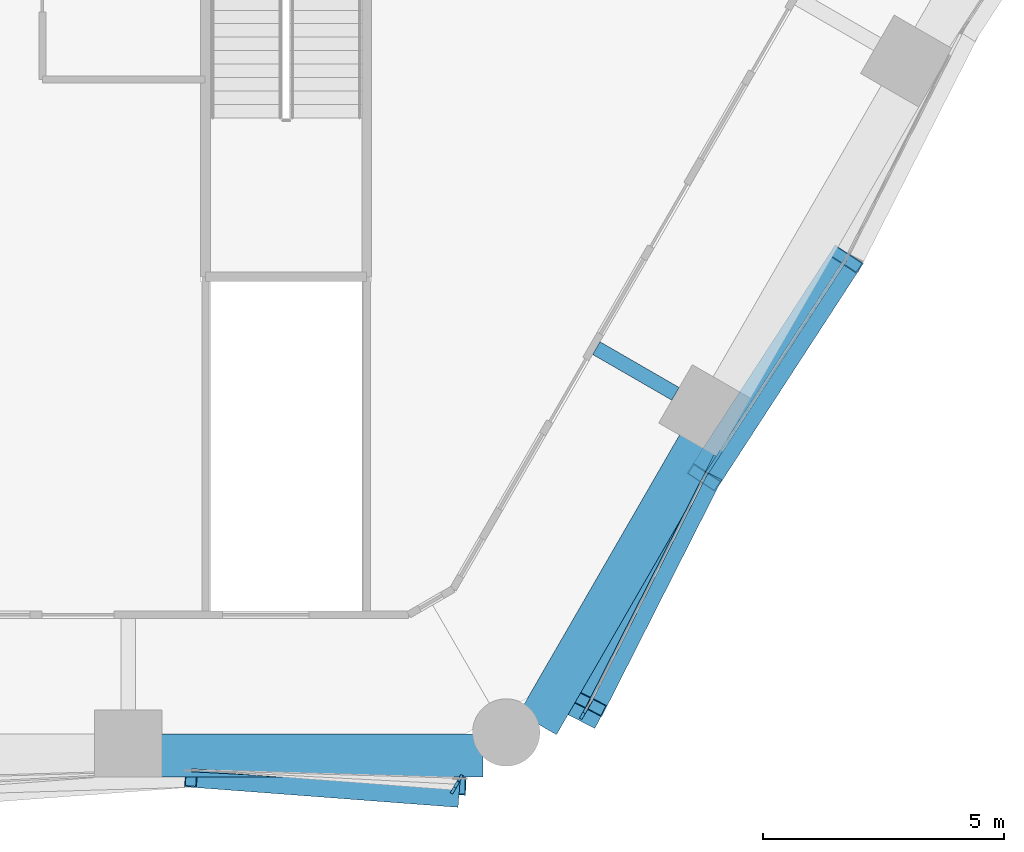
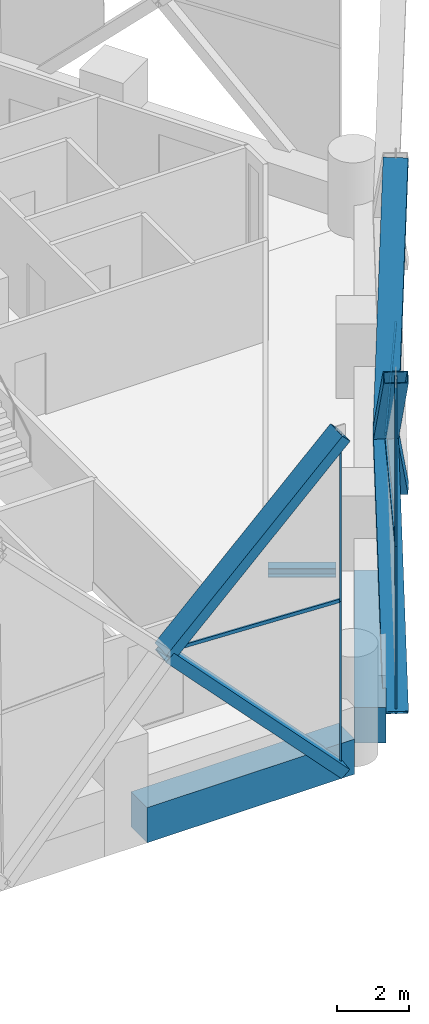
# One storey, part 5 of 22: 13 members, 3 beams, 4 elements without a shape of their own.
"""IFC4 building model written with IfcOpenShell, lengths in metres."""

from ifc_helpers import new_model, si_unit, direction, frame, origin, origin_2d, place, context, subcontext, project, spatial, rectangle, hollow_rectangle, i_section, extrude, material, material_profile, profile_set, type_object, element, aggregate, save


model = new_model("IFC4")

# Units and contexts
model_context = context("Model", 3, precision=1e-05, world=origin(), true_north=direction((0.0, 1.0)))
body_context = subcontext(model_context, "Body", "Model", "MODEL_VIEW")
ifc_project = project(units=[si_unit("LENGTHUNIT", "METRE"), si_unit("AREAUNIT", "SQUARE_METRE"), si_unit("VOLUMEUNIT", "CUBIC_METRE"), si_unit("PLANEANGLEUNIT", "RADIAN"), si_unit("MASSUNIT", "GRAM", prefix="KILO")], contexts=[model_context])

# Site, building, storey
site_placement = place(None, origin())
site = spatial("IfcSite", under=ifc_project, at=site_placement, CompositionType="ELEMENT")
building_placement = place(site_placement, origin())
building = spatial("IfcBuilding", under=site, at=building_placement, Name="Ostrander Bayou Hotel Tower", CompositionType="ELEMENT")
storey_placement = place(building_placement, frame((0.0, 0.0, 35.5)))
storey = spatial("IfcBuildingStorey", under=building, at=storey_placement, Name="L08", CompositionType="ELEMENT", Elevation=35.5)

# Curtain wall, members
ifc_material_1 = material(Name="Aluminium and clear glass", Category="aluminium")
curtain_wall_type = type_object("IfcCurtainWallType", Name="CW-LAT lattice glazing", PredefinedType="NOTDEFINED", material=ifc_material_1)
curtain_wall_1_placement = place(storey_placement, origin())
curtain_wall_1 = element("IfcCurtainWall", 1, at=curtain_wall_1_placement, inside=storey, type_object=curtain_wall_type, Name="CW-LAT L08 S 1", PredefinedType="NOTDEFINED")
ifc_material_2 = material(Name="Aluminium", Category="aluminium")
ifc_material_profile_1 = material_profile(ifc_material_2, hollow_rectangle(XDim=0.06005859375, YDim=0.159912109375, WallThickness=0.00390625, at=origin_2d()))
ifc_profile_set_1 = profile_set([ifc_material_profile_1], Name="Aluminium")
member_type_1 = type_object("IfcMemberType", Name="CW-LA mullion 60 x 160 mm", PredefinedType="MULLION", material=ifc_profile_set_1)
member_1_placement = place(storey_placement, frame((10.95068359375, -22.070068359375, -0.60009765625), z_axis=(0.012582810856, 0.021824668484, 0.999682627996), x_axis=(-0.866328918095, 0.499473928922, 0.0)))
member_1 = element("IfcMember", 2, at=member_1_placement, type_object=member_type_1, Name="CW-LAT mullion 8", PredefinedType="MULLION", context=body_context, shape_type="SweptSolid", body=[
    extrude(hollow_rectangle(XDim=0.06005859375, YDim=0.159912109375, WallThickness=0.00390625, at=origin_2d()), origin(), (0.0, 0.0, 1.0), 5.626708984375),
])
member_2_placement = place(storey_placement, frame((11.021484375, -21.947265625, 5.02490234375), z_axis=(0.012582810856, 0.021824668484, 0.999682627996), x_axis=(-0.866328918095, 0.499473928922, 0.0)))
member_2 = element("IfcMember", 3, at=member_2_placement, type_object=member_type_1, Name="CW-LAT mullion 9", PredefinedType="MULLION", context=body_context, shape_type="SweptSolid", body=[
    extrude(hollow_rectangle(XDim=0.06005859375, YDim=0.159912109375, WallThickness=0.00390625, at=origin_2d()), origin(), (0.0, 0.0, 1.0), 5.626708984375),
])
aggregate(curtain_wall_1, [member_1, member_2])

curtain_wall_2_placement = place(storey_placement, origin())
curtain_wall_2 = element("IfcCurtainWall", 4, at=curtain_wall_2_placement, inside=storey, type_object=curtain_wall_type, Name="CW-LAT L08 SE 1", PredefinedType="NOTDEFINED")
member_3_placement = place(storey_placement, frame((13.637939453125, -20.5185546875, -0.60009765625), z_axis=(0.012582810856, 0.021824668484, 0.999682627996), x_axis=(-0.866328918095, 0.499473928922, 0.0)))
member_3 = element("IfcMember", 5, at=member_3_placement, type_object=member_type_1, Name="CW-LAT mullion 1", PredefinedType="MULLION", context=body_context, shape_type="SweptSolid", body=[
    extrude(hollow_rectangle(XDim=0.06005859375, YDim=0.159912109375, WallThickness=0.00390625, at=origin_2d()), origin(), (0.0, 0.0, 1.0), 5.626708984375),
])
member_4_placement = place(storey_placement, frame((13.708740234375, -20.395751953125, 5.02490234375), z_axis=(0.012582810856, 0.021824668484, 0.999682627996), x_axis=(-0.866328918095, 0.499473928922, 0.0)))
member_4 = element("IfcMember", 6, at=member_4_placement, type_object=member_type_1, Name="CW-LAT mullion 2", PredefinedType="MULLION", context=body_context, shape_type="SweptSolid", body=[
    extrude(hollow_rectangle(XDim=0.06005859375, YDim=0.159912109375, WallThickness=0.00390625, at=origin_2d()), origin(), (0.0, 0.0, 1.0), 5.626708984375),
])
aggregate(curtain_wall_2, [member_3, member_4])

# Curtain wall, member
curtain_wall_3_placement = place(storey_placement, origin())
curtain_wall_3 = element("IfcCurtainWall", 7, at=curtain_wall_3_placement, inside=storey, type_object=curtain_wall_type, Name="CW-LAT L08 S 2", PredefinedType="NOTDEFINED")
ifc_material_3 = material(Name="Aluminium", Category="aluminium")
ifc_material_profile_2 = material_profile(ifc_material_3, hollow_rectangle(XDim=0.06005859375, YDim=0.1201171875, WallThickness=0.00390625, at=origin_2d()))
ifc_profile_set_2 = profile_set([ifc_material_profile_2], Name="Aluminium")
member_type_2 = type_object("IfcMemberType", Name="CW-LA transom 60 x 120 mm", PredefinedType="USERDEFINED", material=ifc_profile_set_2)
member_5_placement = place(storey_placement, frame((11.021484375, -21.947265625, 5.02490234375), z_axis=(-0.998647852363, 0.051985257245, 0.0), x_axis=(-0.051985257245, -0.998647852363, 0.0)))
member_5 = element("IfcMember", 8, at=member_5_placement, type_object=member_type_2, Name="CW-LAT transom 10", ObjectType="TRANSOM", PredefinedType="USERDEFINED", context=body_context, shape_type="SweptSolid", body=[
    extrude(hollow_rectangle(XDim=0.06005859375, YDim=0.1201171875, WallThickness=0.00390625, at=origin_2d()), origin(), (0.0, 0.0, 1.0), 5.518310546875),
])
aggregate(curtain_wall_3, [member_5])

# Curtain wall, members
curtain_wall_4_placement = place(storey_placement, origin())
curtain_wall_4 = element("IfcCurtainWall", 9, at=curtain_wall_4_placement, inside=storey, type_object=curtain_wall_type, Name="CW-LAT L08 SE 2", PredefinedType="NOTDEFINED")
member_6_placement = place(storey_placement, frame((13.708740234375, -20.395751953125, 5.02490234375), z_axis=(0.453387144201, 0.891313691959, 0.0), x_axis=(-0.891313691959, 0.453387144201, 0.0)))
member_6 = element("IfcMember", 10, at=member_6_placement, type_object=member_type_2, Name="CW-LAT transom 3", ObjectType="TRANSOM", PredefinedType="USERDEFINED", context=body_context, shape_type="SweptSolid", body=[
    extrude(hollow_rectangle(XDim=0.06005859375, YDim=0.1201171875, WallThickness=0.00390625, at=origin_2d()), origin(), (0.0, 0.0, 1.0), 5.921630859375),
])
member_7_placement = place(storey_placement, frame((19.11328125, -11.034912109375, 5.02490234375), z_axis=(-0.545191286947, -0.838311672731, 0.0), x_axis=(0.838311672731, -0.545191286947, 0.0)))
member_7 = element("IfcMember", 11, at=member_7_placement, type_object=member_type_2, Name="CW-LAT transom 6", ObjectType="TRANSOM", PredefinedType="USERDEFINED", context=body_context, shape_type="SweptSolid", body=[
    extrude(hollow_rectangle(XDim=0.06005859375, YDim=0.1201171875, WallThickness=0.00390625, at=origin_2d()), origin(), (0.0, 0.0, 1.0), 5.412109375),
])
aggregate(curtain_wall_4, [member_6, member_7])

# Beam
ifc_material_4 = material(Name="Steel ASTM A992", Category="steel")
ifc_material_profile_3 = material_profile(ifc_material_4, i_section(OverallWidth=0.3046875, OverallDepth=0.307861328125, WebThickness=0.010009765625, FlangeThickness=0.015380859375, at=origin_2d()))
ifc_profile_set_3 = profile_set([ifc_material_profile_3], Name="Steel ASTM A992")
beam_type_1 = type_object("IfcBeamType", Name="LB1 loggia bracket W12x65", PredefinedType="BEAM", material=ifc_profile_set_3)
beam_placement = place(storey_placement, frame((15.569091796875, -13.833251953125, -0.453857421875), z_axis=(-0.86601224135, 0.500022797313, 0.0), x_axis=(-0.500022797313, -0.86601224135, 0.0)))
element("IfcBeam", 12, at=beam_placement, inside=storey, type_object=beam_type_1, Name="LB1 L08 SE1", PredefinedType="BEAM", context=body_context, shape_type="SweptSolid", body=[
    extrude(i_section(OverallWidth=0.3046875, OverallDepth=0.307861328125, WebThickness=0.010009765625, FlangeThickness=0.015380859375, at=origin_2d()), origin(), (0.0, 0.0, 1.0), 1.89990234375),
])

# Members
ifc_material_5 = material(Name="Steel ASTM A572 Gr 50", Category="steel")
ifc_material_profile_4 = material_profile(ifc_material_5, hollow_rectangle(XDim=0.699951171875, YDim=0.35009765625, WallThickness=0.02490234375, at=origin_2d()))
ifc_profile_set_4 = profile_set([ifc_material_profile_4], Name="Steel ASTM A572 Gr 50")
member_type_3 = type_object("IfcMemberType", Name="LT1 lattice member box 700 x 350 x 25 mm", PredefinedType="BRACE", material=ifc_profile_set_4)
member_8_placement = place(storey_placement, frame((5.5107421875, -21.660400390625, 5.02490234375), z_axis=(0.6942326437, -0.052280871382, -0.717849390129), x_axis=(0.075094785013, 0.997176400274, 0.0)))
element("IfcMember", 13, at=member_8_placement, inside=storey, type_object=member_type_3, Name="LT1 L08 S 7", PredefinedType="BRACE", context=body_context, shape_type="SweptSolid", body=[
    extrude(hollow_rectangle(XDim=0.699951171875, YDim=0.35009765625, WallThickness=0.02490234375, at=origin_2d()), origin(), (0.0, 0.0, 1.0), 7.8359375),
])
member_9_placement = place(storey_placement, frame((5.5107421875, -21.660400390625, 5.02490234375), z_axis=(0.70420853583, -0.020699332345, 0.709691394695), x_axis=(0.029381064054, 0.999568283348, 0.0)))
element("IfcMember", 14, at=member_9_placement, inside=storey, type_object=member_type_3, Name="LT1 L08 S 8", PredefinedType="BRACE", context=body_context, shape_type="SweptSolid", body=[
    extrude(hollow_rectangle(XDim=0.699951171875, YDim=0.35009765625, WallThickness=0.02490234375, at=origin_2d()), origin(), (0.0, 0.0, 1.0), 7.926025390625),
])
member_10_placement = place(storey_placement, frame((16.16259765625, -15.572021484375, 5.02490234375), z_axis=(-0.319390978433, -0.625778997585, -0.711610883192), x_axis=(0.890695032294, -0.454601319232, 0.0)))
element("IfcMember", 15, at=member_10_placement, inside=storey, type_object=member_type_3, Name="LT1 L08 SE 1", PredefinedType="BRACE", context=body_context, shape_type="SweptSolid", body=[
    extrude(hollow_rectangle(XDim=0.699951171875, YDim=0.35009765625, WallThickness=0.02490234375, at=origin_2d()), origin(), (0.0, 0.0, 1.0), 7.904541015625),
])
member_11_placement = place(storey_placement, frame((16.16259765625, -15.572021484375, 5.02490234375), z_axis=(-0.309153546945, -0.60985058359, 0.729730326975), x_axis=(0.891939886916, -0.452153998244, 0.0)))
element("IfcMember", 16, at=member_11_placement, inside=storey, type_object=member_type_3, Name="LT1 L08 SE 2", PredefinedType="BRACE", context=body_context, shape_type="SweptSolid", body=[
    extrude(hollow_rectangle(XDim=0.699951171875, YDim=0.35009765625, WallThickness=0.02490234375, at=origin_2d()), origin(), (0.0, 0.0, 1.0), 7.708251953125),
])
for number, where, z_axis, x_axis, name in (
    (17, (16.16259765625, -15.572021484375, 5.02490234375), (0.378005458796, 0.581238908345, -0.720606136906), (-0.838311672731, 0.545191286947, 0.0), "LT1 L08 SE 3"),
    (18, (16.16259765625, -15.572021484375, 5.02490234375), (0.378005458796, 0.581238908345, 0.720606136906), (-0.838311672731, 0.545191286947, 0.0), "LT1 L08 SE 4"),
):
    element("IfcMember", number, at=place(storey_placement, frame(where, z_axis=z_axis, x_axis=x_axis)), inside=storey, type_object=member_type_3, Name=name, PredefinedType="BRACE", context=body_context, shape_type="SweptSolid", body=[
        extrude(hollow_rectangle(XDim=0.699951171875, YDim=0.35009765625, WallThickness=0.02490234375, at=origin_2d()), origin(), (0.0, 0.0, 1.0), 7.805908203125),
    ])

# Beams
ifc_material_6 = material(Name="Concrete f'c 70 MPa", Category="concrete")
ifc_material_profile_5 = material_profile(ifc_material_6, rectangle(XDim=0.89990234375, YDim=1.199951171875, at=origin_2d()))
ifc_profile_set_5 = profile_set([ifc_material_profile_5], Name="Concrete f'c 70 MPa")
beam_type_2 = type_object("IfcBeamType", Name="SP1 spandrel beam 900 x 1200 mm f'c 70 MPa", PredefinedType="SPANDREL", material=ifc_profile_set_5)
for number, where, z_axis, x_axis, name in (
    (19, (4.865478515625, -21.35009765625, -0.60009765625), (1.0, 0.0, 0.0), (0.0, 1.0, 0.0), "SP1 L08 S-3"),
    (20, (12.705078125, -20.694091796875, -0.60009765625), (0.500005133765, 0.866022439784, 0.0), (-0.866022439784, 0.500005133765, 0.0), "SP1 L08 SE-1"),
):
    element("IfcBeam", number, at=place(storey_placement, frame(where, z_axis=z_axis, x_axis=x_axis)), inside=storey, type_object=beam_type_2, Name=name, PredefinedType="SPANDREL", context=body_context, shape_type="SweptSolid", body=[
        extrude(rectangle(XDim=0.89990234375, YDim=1.199951171875, at=origin_2d()), origin(), (0.0, 0.0, 1.0), 6.70361328125),
    ])

save(model, "model.ifc")
